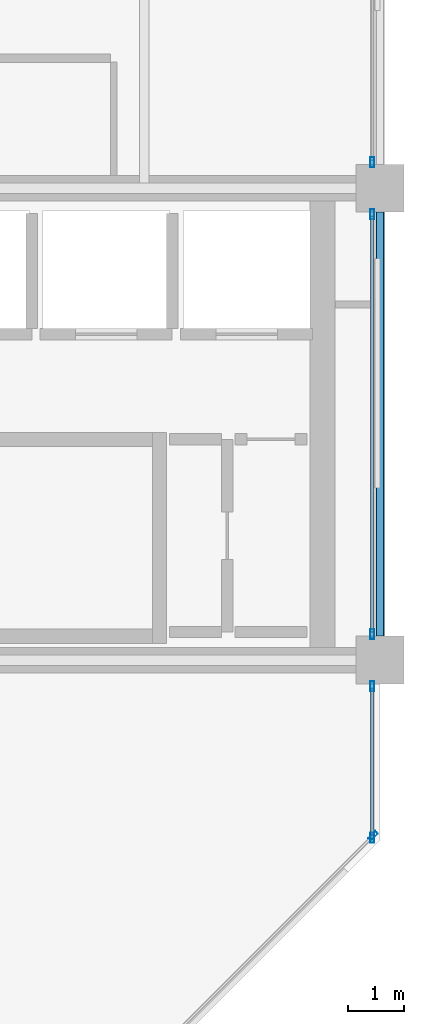
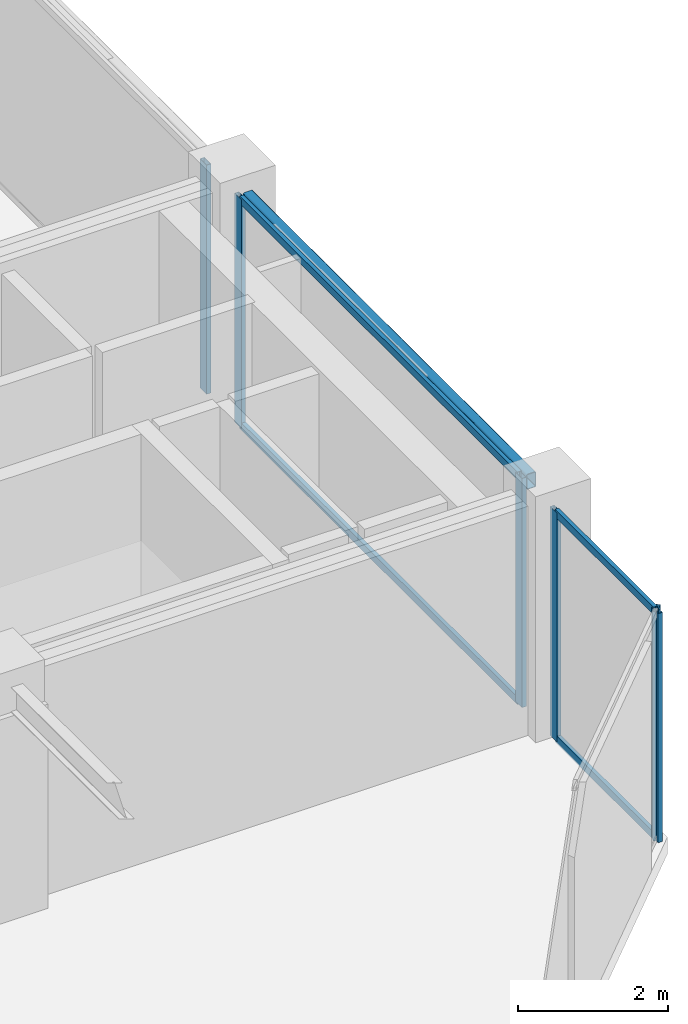
# One storey, part 14 of 24: 10 members, 1 beam, 4 elements without a shape of their own.
"""IFC4 building model written with IfcOpenShell, lengths in metres."""

from ifc_helpers import new_model, si_unit, direction, frame, origin, origin_2d, place, context, subcontext, project, spatial, hollow_rectangle, extrude, material, layer, layer_set, material_profile, profile_set, type_object, element, aggregate, save


model = new_model("IFC4")

# Units and contexts
model_context = context("Model", 3, precision=1e-05, world=origin(), true_north=direction((0.0, 1.0)))
body_context = subcontext(model_context, "Body", "Model", "MODEL_VIEW")
ifc_project = project(units=[si_unit("LENGTHUNIT", "METRE"), si_unit("AREAUNIT", "SQUARE_METRE"), si_unit("VOLUMEUNIT", "CUBIC_METRE"), si_unit("PLANEANGLEUNIT", "RADIAN"), si_unit("MASSUNIT", "GRAM", prefix="KILO")], contexts=[model_context])

# Site, building, storey
site_placement = place(None, origin())
site = spatial("IfcSite", under=ifc_project, at=site_placement, CompositionType="ELEMENT")
building_placement = place(site_placement, origin())
building = spatial("IfcBuilding", under=site, at=building_placement, Name="Nerrivon Quay Data Exchange", CompositionType="ELEMENT")
storey_placement = place(building_placement, frame((0.0, 0.0, 310.199951171875)))
storey = spatial("IfcBuildingStorey", under=building, at=storey_placement, Name="L74", CompositionType="ELEMENT", Elevation=310.199951171875)

# Beam
ifc_material_1 = material(Name="Steel Grade C350L0 (350 MPa)", Category="steel")
ifc_material_profile_1 = material_profile(ifc_material_1, hollow_rectangle(XDim=0.14990234375, YDim=0.25, WallThickness=0.009033203125, InnerFilletRadius=0.013427734375, OuterFilletRadius=0.0224609375, at=origin_2d()), Name="250x150x9.0RHS")
ifc_profile_set_1 = profile_set([ifc_material_profile_1], Name="Steel Grade C350L0 (350 MPa)")
beam_type = type_object("IfcBeamType", Name="BM-SP4-250x150RHS", PredefinedType="SPANDREL", material=ifc_profile_set_1)
beam_placement = place(storey_placement, frame((33.60009765625, 8.824951171875, 3.60009765625), z_axis=(0.0, 1.0, 0.0), x_axis=(-1.0, 0.0, 0.0)))
element("IfcBeam", 1, at=beam_placement, inside=storey, type_object=beam_type, Name="L74 NS Girder X=33.6 (8.4..16.8)", PredefinedType="SPANDREL", context=body_context, shape_type="SweptSolid", body=[
    extrude(hollow_rectangle(XDim=0.14990234375, YDim=0.25, WallThickness=0.009033203125, InnerFilletRadius=0.013427734375, OuterFilletRadius=0.0224609375, at=origin_2d()), origin(), (0.0, 0.0, 1.0), 7.550048828125),
])

# Curtain wall, member
ifc_material_2 = material(Name="Anodised aluminium 6063-T6", Category="aluminium")
ifc_layer = layer(ifc_material_2, 0.195068359375)
ifc_layer_set = layer_set([ifc_layer], Name="Anodised aluminium 6063-T6")
curtain_wall_type = type_object("IfcCurtainWallType", Name="CW-SYS-06", PredefinedType="NOTDEFINED", material=ifc_layer_set)
curtain_wall_1_placement = place(storey_placement, origin())
curtain_wall_1 = element("IfcCurtainWall", 2, at=curtain_wall_1_placement, inside=storey, type_object=curtain_wall_type, Name="L74 Unitised Curtain Wall 1", PredefinedType="NOTDEFINED")
ifc_material_profile_2 = material_profile(ifc_material_2, hollow_rectangle(XDim=0.06494140625, YDim=0.179931640625, WallThickness=0.00341796875, at=origin_2d()), Name="ALU-MULL-180x65")
ifc_profile_set_2 = profile_set([ifc_material_profile_2], Name="Anodised aluminium 6063-T6")
member_type_1 = type_object("IfcMemberType", Name="CWM-180x65", PredefinedType="MULLION", material=ifc_profile_set_2)
member_1_placement = place(storey_placement, frame((33.474365234375, 5.2724609375, 0.0), z_axis=(0.0, 0.0, 1.0), x_axis=(0.707106781187, -0.707106781187, 0.0)))
member_1 = element("IfcMember", 3, at=member_1_placement, type_object=member_type_1, Name="CW06 mullion 1", PredefinedType="MULLION", context=body_context, shape_type="SweptSolid", body=[
    extrude(hollow_rectangle(XDim=0.06494140625, YDim=0.179931640625, WallThickness=0.00341796875, at=origin_2d()), origin(), (0.0, 0.0, 1.0), 3.72509765625),
])
aggregate(curtain_wall_1, [member_1])

curtain_wall_2_placement = place(storey_placement, origin())
curtain_wall_2 = element("IfcCurtainWall", 4, at=curtain_wall_2_placement, inside=storey, type_object=curtain_wall_type, Name="L74 Unitised Curtain Wall 22", PredefinedType="NOTDEFINED")
member_2_placement = place(storey_placement, frame((33.4599609375, 17.262451171875, 0.0), z_axis=(0.0, 0.0, 1.0), x_axis=(1.0, 0.0, 0.0)))
member_2 = element("IfcMember", 5, at=member_2_placement, type_object=member_type_1, Name="CW06 mullion 2", PredefinedType="MULLION", context=body_context, shape_type="SweptSolid", body=[
    extrude(hollow_rectangle(XDim=0.06494140625, YDim=0.179931640625, WallThickness=0.00341796875, at=origin_2d()), origin(), (0.0, 0.0, 1.0), 3.72509765625),
])
aggregate(curtain_wall_2, [member_2])

# Curtain wall, members
curtain_wall_3_placement = place(storey_placement, origin())
curtain_wall_3 = element("IfcCurtainWall", 6, at=curtain_wall_3_placement, inside=storey, type_object=curtain_wall_type, Name="L74 Unitised Curtain Wall 23", PredefinedType="NOTDEFINED")
member_3_placement = place(storey_placement, frame((33.4599609375, 16.33740234375, 0.0), z_axis=(0.0, 0.0, 1.0), x_axis=(1.0, 0.0, 0.0)))
member_3 = element("IfcMember", 7, at=member_3_placement, type_object=member_type_1, Name="CW06 mullion 1", PredefinedType="MULLION", context=body_context, shape_type="SweptSolid", body=[
    extrude(hollow_rectangle(XDim=0.06494140625, YDim=0.179931640625, WallThickness=0.00341796875, at=origin_2d()), origin(), (0.0, 0.0, 1.0), 3.72509765625),
])
member_4_placement = place(storey_placement, frame((33.4599609375, 8.862548828125, 0.0), z_axis=(0.0, 0.0, 1.0), x_axis=(1.0, 0.0, 0.0)))
member_4 = element("IfcMember", 8, at=member_4_placement, type_object=member_type_1, Name="CW06 mullion 2", PredefinedType="MULLION", context=body_context, shape_type="SweptSolid", body=[
    extrude(hollow_rectangle(XDim=0.06494140625, YDim=0.179931640625, WallThickness=0.00341796875, at=origin_2d()), origin(), (0.0, 0.0, 1.0), 3.72509765625),
])

curtain_wall_4_placement = place(storey_placement, origin())
curtain_wall_4 = element("IfcCurtainWall", 9, at=curtain_wall_4_placement, inside=storey, type_object=curtain_wall_type, Name="L74 Unitised Curtain Wall 24", PredefinedType="NOTDEFINED")
member_5_placement = place(storey_placement, frame((33.4599609375, 7.9375, 0.0), z_axis=(0.0, 0.0, 1.0), x_axis=(1.0, 0.0, 0.0)))
member_5 = element("IfcMember", 10, at=member_5_placement, type_object=member_type_1, Name="CW06 mullion 1", PredefinedType="MULLION", context=body_context, shape_type="SweptSolid", body=[
    extrude(hollow_rectangle(XDim=0.06494140625, YDim=0.179931640625, WallThickness=0.00341796875, at=origin_2d()), origin(), (0.0, 0.0, 1.0), 3.72509765625),
])
member_6_placement = place(storey_placement, frame((33.4599609375, 5.237548828125, 0.0), z_axis=(0.0, 0.0, 1.0), x_axis=(1.0, 0.0, 0.0)))
member_6 = element("IfcMember", 11, at=member_6_placement, type_object=member_type_1, Name="CW06 mullion 2", PredefinedType="MULLION", context=body_context, shape_type="SweptSolid", body=[
    extrude(hollow_rectangle(XDim=0.06494140625, YDim=0.179931640625, WallThickness=0.00341796875, at=origin_2d()), origin(), (0.0, 0.0, 1.0), 3.72509765625),
])

# Member
ifc_material_profile_3 = material_profile(ifc_material_2, hollow_rectangle(XDim=0.06005859375, YDim=0.1201171875, WallThickness=0.003173828125, at=origin_2d()), Name="ALU-TRAN-120x60")
ifc_profile_set_3 = profile_set([ifc_material_profile_3], Name="Anodised aluminium 6063-T6")
member_type_2 = type_object("IfcMemberType", Name="CWT-120x60", PredefinedType="USERDEFINED", material=ifc_profile_set_3)
member_7_placement = place(storey_placement, frame((33.4599609375, 16.300048828125, 0.032470703125), z_axis=(0.0, -1.0, 0.0), x_axis=(1.0, 0.0, 0.0)))
member_7 = element("IfcMember", 12, at=member_7_placement, type_object=member_type_2, Name="CW06 transom 1.1", ObjectType="TRANSOM", PredefinedType="USERDEFINED", context=body_context, shape_type="SweptSolid", body=[
    extrude(hollow_rectangle(XDim=0.06005859375, YDim=0.1201171875, WallThickness=0.003173828125, at=origin_2d()), origin(), (0.0, 0.0, 1.0), 7.400146484375),
])

member_8_placement = place(storey_placement, frame((33.4599609375, 16.300048828125, 3.692626953125), z_axis=(0.0, -1.0, 0.0), x_axis=(1.0, 0.0, 0.0)))
member_8 = element("IfcMember", 13, at=member_8_placement, type_object=member_type_2, Name="CW06 transom 1.2", ObjectType="TRANSOM", PredefinedType="USERDEFINED", context=body_context, shape_type="SweptSolid", body=[
    extrude(hollow_rectangle(XDim=0.06005859375, YDim=0.1201171875, WallThickness=0.003173828125, at=origin_2d()), origin(), (0.0, 0.0, 1.0), 7.400146484375),
])

aggregate(curtain_wall_3, [member_3, member_4, member_7, member_8])

member_9_placement = place(storey_placement, frame((33.4599609375, 7.89990234375, 0.032470703125), z_axis=(0.0, -1.0, 0.0), x_axis=(1.0, 0.0, 0.0)))
member_9 = element("IfcMember", 14, at=member_9_placement, type_object=member_type_2, Name="CW06 transom 1.1", ObjectType="TRANSOM", PredefinedType="USERDEFINED", context=body_context, shape_type="SweptSolid", body=[
    extrude(hollow_rectangle(XDim=0.06005859375, YDim=0.1201171875, WallThickness=0.003173828125, at=origin_2d()), origin(), (0.0, 0.0, 1.0), 2.625),
])

member_10_placement = place(storey_placement, frame((33.4599609375, 7.89990234375, 3.692626953125), z_axis=(0.0, -1.0, 0.0), x_axis=(1.0, 0.0, 0.0)))
member_10 = element("IfcMember", 15, at=member_10_placement, type_object=member_type_2, Name="CW06 transom 1.2", ObjectType="TRANSOM", PredefinedType="USERDEFINED", context=body_context, shape_type="SweptSolid", body=[
    extrude(hollow_rectangle(XDim=0.06005859375, YDim=0.1201171875, WallThickness=0.003173828125, at=origin_2d()), origin(), (0.0, 0.0, 1.0), 2.625),
])

aggregate(curtain_wall_4, [member_5, member_6, member_9, member_10])

save(model, "model.ifc")
